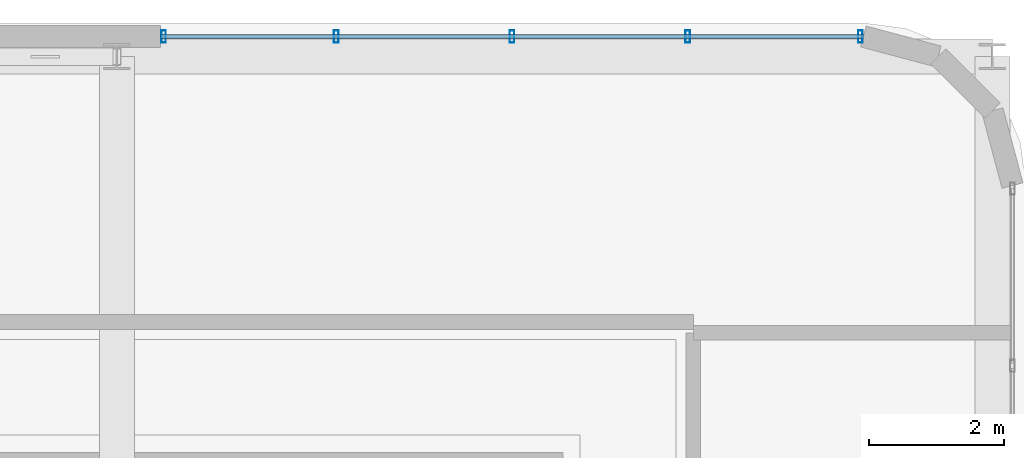
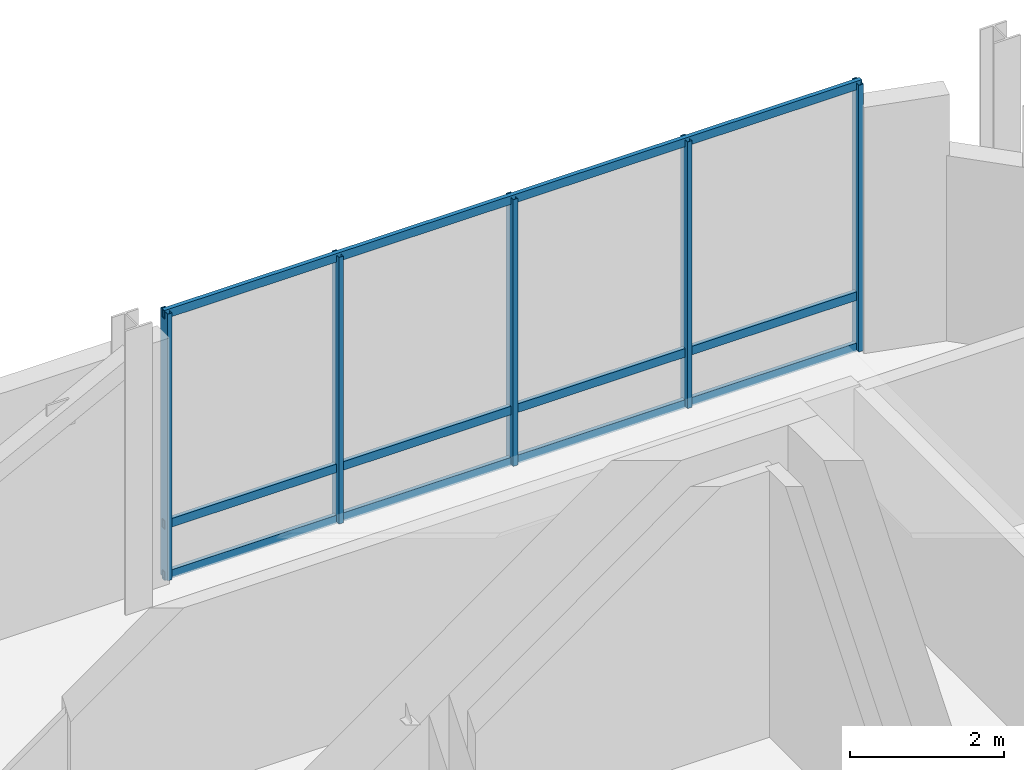
# One storey, part 12 of 25: 8 members, 1 element without a shape of its own.
"""IFC4 building model written with IfcOpenShell, lengths in metres."""

from ifc_helpers import new_model, si_unit, direction, frame, origin, origin_2d, place, context, subcontext, project, spatial, hollow_rectangle, extrude, material, material_profile, profile_set, type_object, element, aggregate, save


model = new_model("IFC4")

# Units and contexts
model_context = context("Model", 3, precision=1e-05, world=origin(), true_north=direction((0.0, 1.0)))
body_context = subcontext(model_context, "Body", "Model", "MODEL_VIEW")
ifc_project = project(units=[si_unit("LENGTHUNIT", "METRE"), si_unit("AREAUNIT", "SQUARE_METRE"), si_unit("VOLUMEUNIT", "CUBIC_METRE"), si_unit("PLANEANGLEUNIT", "RADIAN"), si_unit("MASSUNIT", "GRAM", prefix="KILO")], contexts=[model_context])

# Site, building, storey
site_placement = place(None, origin())
site = spatial("IfcSite", under=ifc_project, at=site_placement, CompositionType="ELEMENT")
building_placement = place(site_placement, origin())
building = spatial("IfcBuilding", under=site, at=building_placement, Name="Punatoya Terracotta Tower", CompositionType="ELEMENT")
storey_placement = place(building_placement, frame((0.0, 0.0, 357.300048828125)))
storey = spatial("IfcBuildingStorey", under=building, at=storey_placement, Name="L84", CompositionType="ELEMENT", Elevation=357.300048828125)

# Curtain wall, members
ifc_material_1 = material(Name="Aluminium 6063-T6 + Double Low-E Glass", Category="aluminium")
curtain_wall_type = type_object("IfcCurtainWallType", Name="CW-CRN", PredefinedType="NOTDEFINED", material=ifc_material_1)
curtain_wall_placement = place(storey_placement, origin())
curtain_wall = element("IfcCurtainWall", 1, at=curtain_wall_placement, inside=storey, type_object=curtain_wall_type, Name="L84 Curtain Wall CW-L84-N09-1", PredefinedType="NOTDEFINED")
ifc_material_2 = material(Name="Aluminium 6063-T6", Category="aluminium")
ifc_material_profile_1 = material_profile(ifc_material_2, hollow_rectangle(XDim=0.070068359375, YDim=0.179931640625, WallThickness=0.00390625, at=origin_2d()))
ifc_profile_set_1 = profile_set([ifc_material_profile_1], Name="Aluminium 6063-T6")
member_type_1 = type_object("IfcMemberType", Name="CW-MUL-M3", PredefinedType="MULLION", material=ifc_profile_set_1)
member_1_placement = place(storey_placement, frame((14.841796875, 15.60009765625, 0.0), z_axis=(0.0, 0.0, 1.0), x_axis=(1.0, 0.0, 0.0)))
member_1 = element("IfcMember", 2, at=member_1_placement, type_object=member_type_1, Name="CW-L84-N09-1 Mullion 00", PredefinedType="MULLION", context=body_context, shape_type="SweptSolid", body=[
    extrude(hollow_rectangle(XDim=0.070068359375, YDim=0.179931640625, WallThickness=0.00390625, at=origin_2d()), origin(), (0.0, 0.0, 1.0), 4.219970703125),
])
member_2_placement = place(storey_placement, frame((12.277587890625, 15.60009765625, 0.0), z_axis=(0.0, 0.0, 1.0), x_axis=(1.0, 0.0, 0.0)))
member_2 = element("IfcMember", 3, at=member_2_placement, type_object=member_type_1, Name="CW-L84-N09-1 Mullion 01", PredefinedType="MULLION", context=body_context, shape_type="SweptSolid", body=[
    extrude(hollow_rectangle(XDim=0.070068359375, YDim=0.179931640625, WallThickness=0.00390625, at=origin_2d()), origin(), (0.0, 0.0, 1.0), 4.219970703125),
])
member_3_placement = place(storey_placement, frame((9.66845703125, 15.60009765625, 0.0), z_axis=(0.0, 0.0, 1.0), x_axis=(1.0, 0.0, 0.0)))
member_3 = element("IfcMember", 4, at=member_3_placement, type_object=member_type_1, Name="CW-L84-N09-1 Mullion 02", PredefinedType="MULLION", context=body_context, shape_type="SweptSolid", body=[
    extrude(hollow_rectangle(XDim=0.070068359375, YDim=0.179931640625, WallThickness=0.00390625, at=origin_2d()), origin(), (0.0, 0.0, 1.0), 4.219970703125),
])
member_4_placement = place(storey_placement, frame((7.05908203125, 15.60009765625, 0.0), z_axis=(0.0, 0.0, 1.0), x_axis=(1.0, 0.0, 0.0)))
member_4 = element("IfcMember", 5, at=member_4_placement, type_object=member_type_1, Name="CW-L84-N09-1 Mullion 03", PredefinedType="MULLION", context=body_context, shape_type="SweptSolid", body=[
    extrude(hollow_rectangle(XDim=0.070068359375, YDim=0.179931640625, WallThickness=0.00390625, at=origin_2d()), origin(), (0.0, 0.0, 1.0), 4.219970703125),
])
member_5_placement = place(storey_placement, frame((4.4951171875, 15.60009765625, 0.0), z_axis=(0.0, 0.0, 1.0), x_axis=(1.0, 0.0, 0.0)))
member_5 = element("IfcMember", 6, at=member_5_placement, type_object=member_type_1, Name="CW-L84-N09-1 Mullion 04", PredefinedType="MULLION", context=body_context, shape_type="SweptSolid", body=[
    extrude(hollow_rectangle(XDim=0.070068359375, YDim=0.179931640625, WallThickness=0.00390625, at=origin_2d()), origin(), (0.0, 0.0, 1.0), 4.219970703125),
])
ifc_material_profile_2 = material_profile(ifc_material_2, hollow_rectangle(XDim=0.06201171875, YDim=0.135009765625, WallThickness=0.00390625, at=origin_2d()))
ifc_profile_set_2 = profile_set([ifc_material_profile_2], Name="Aluminium 6063-T6")
member_type_2 = type_object("IfcMemberType", Name="CW-TRN-CRN", PredefinedType="USERDEFINED", material=ifc_profile_set_2)
member_6_placement = place(storey_placement, frame((14.886962890625, 15.60009765625, 0.0400390625), z_axis=(-1.0, 0.0, 0.0), x_axis=(0.0, -1.0, 0.0)))
member_6 = element("IfcMember", 7, at=member_6_placement, type_object=member_type_2, Name="CW-L84-N09-1 Transom 1", ObjectType="TRANSOM", PredefinedType="USERDEFINED", context=body_context, shape_type="SweptSolid", body=[
    extrude(hollow_rectangle(XDim=0.06201171875, YDim=0.135009765625, WallThickness=0.00390625, at=origin_2d()), origin(), (0.0, 0.0, 1.0), 10.43701171875),
])
member_7_placement = place(storey_placement, frame((14.886962890625, 15.60009765625, 0.849853515625), z_axis=(-1.0, 0.0, 0.0), x_axis=(0.0, -1.0, 0.0)))
member_7 = element("IfcMember", 8, at=member_7_placement, type_object=member_type_2, Name="CW-L84-N09-1 Transom 2", ObjectType="TRANSOM", PredefinedType="USERDEFINED", context=body_context, shape_type="SweptSolid", body=[
    extrude(hollow_rectangle(XDim=0.06201171875, YDim=0.135009765625, WallThickness=0.00390625, at=origin_2d()), origin(), (0.0, 0.0, 1.0), 10.43701171875),
])
member_8_placement = place(storey_placement, frame((14.886962890625, 15.60009765625, 4.179931640625), z_axis=(-1.0, 0.0, 0.0), x_axis=(0.0, -1.0, 0.0)))
member_8 = element("IfcMember", 9, at=member_8_placement, type_object=member_type_2, Name="CW-L84-N09-1 Transom 3", ObjectType="TRANSOM", PredefinedType="USERDEFINED", context=body_context, shape_type="SweptSolid", body=[
    extrude(hollow_rectangle(XDim=0.06201171875, YDim=0.135009765625, WallThickness=0.00390625, at=origin_2d()), origin(), (0.0, 0.0, 1.0), 10.43701171875),
])
aggregate(curtain_wall, [member_1, member_2, member_3, member_4, member_5, member_6, member_7, member_8])

save(model, "model.ifc")
